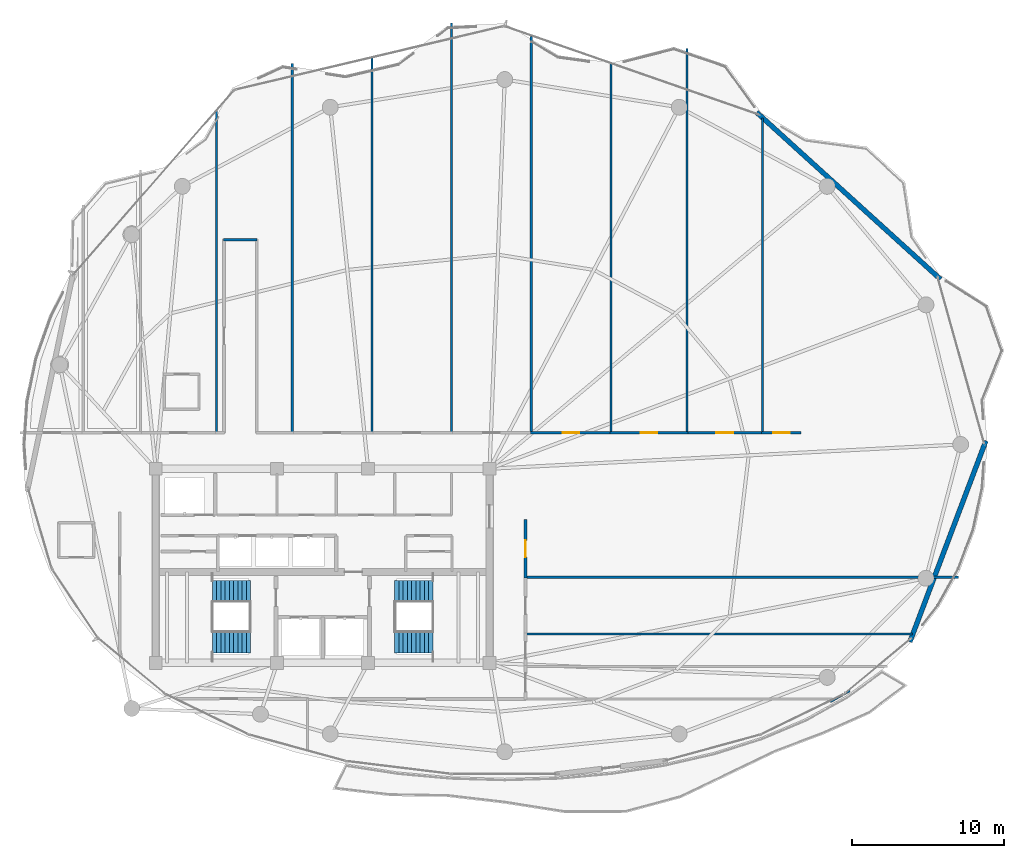
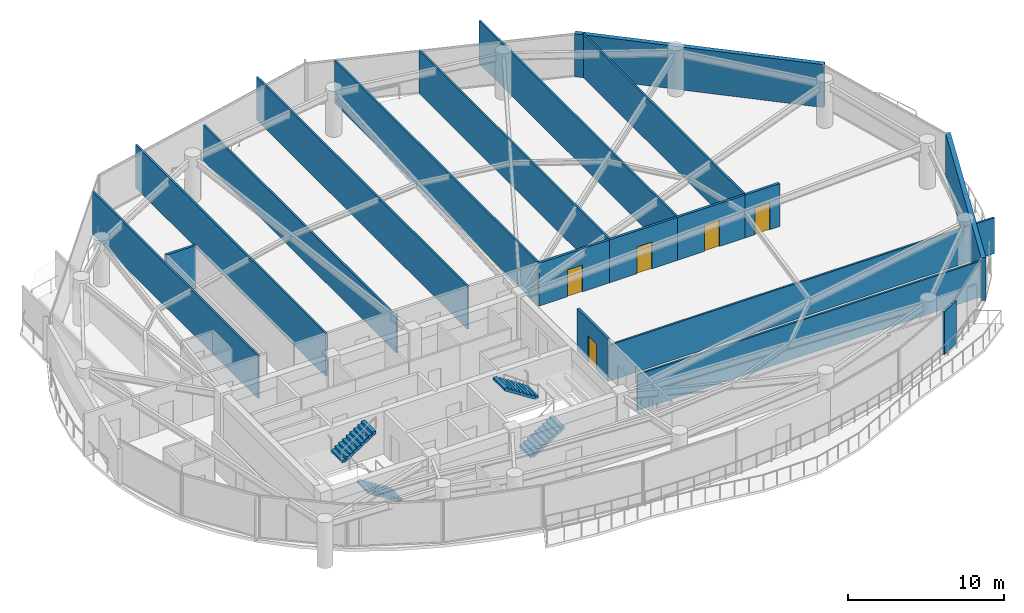
# One storey, part 25 of 29: 19 walls, 5 doors, 4 stair flights, 5 openings, 2 elements without a shape of their own.
"""IFC4 building model written with IfcOpenShell, lengths in metres."""

from ifc_helpers import new_model, si_unit, direction, frame, frame_2d, origin, place, context, subcontext, project, spatial, polyline, rectangle, outline, extrude, material, layer, layer_set, type_object, element, fill, aggregate, save


model = new_model("IFC4")

# Units and contexts
model_context = context("Model", 3, precision=1e-05, world=origin(), true_north=direction((0.0, 1.0)))
body_context = subcontext(model_context, "Body", "Model", "MODEL_VIEW")
ifc_project = project(units=[si_unit("LENGTHUNIT", "METRE"), si_unit("AREAUNIT", "SQUARE_METRE"), si_unit("VOLUMEUNIT", "CUBIC_METRE"), si_unit("PLANEANGLEUNIT", "RADIAN"), si_unit("MASSUNIT", "GRAM", prefix="KILO")], contexts=[model_context])

# Site, building, storey
site_placement = place(None, origin())
site = spatial("IfcSite", under=ifc_project, at=site_placement, CompositionType="ELEMENT")
building_placement = place(site_placement, origin())
building = spatial("IfcBuilding", under=site, at=building_placement, Name="Kazevale Care Tower and Concert Hall", CompositionType="ELEMENT")
storey_placement = place(building_placement, frame((0.0, 0.0, 199.199951171875)))
storey = spatial("IfcBuildingStorey", under=building, at=storey_placement, Name="L52", CompositionType="ELEMENT", Elevation=199.199951171875)

# Walls
ifc_material_1 = material(Name="Acoustic Gypsum on Steel Stud", Category="steel")
ifc_layer_1 = layer(ifc_material_1, 0.139892578125)
ifc_layer_set_1 = layer_set([ifc_layer_1], Name="Acoustic Gypsum on Steel Stud")
wall_type_1 = type_object("IfcWallType", Name="Acoustic Care & Suite Partition 140", PredefinedType="PARTITIONING", material=ifc_layer_set_1)
wall_1_placement = place(storey_placement, frame((26.0, 60.002685546875, 0.0), z_axis=(0.0, 0.0, 1.0), x_axis=(0.0, -1.0, 0.0)))
element("IfcWall", 1, at=wall_1_placement, inside=storey, type_object=wall_type_1, Name="wall:L52:auto_025", PredefinedType="PARTITIONING", context=body_context, shape_type="SweptSolid", body=[
    extrude(rectangle(XDim=21.257568359375, YDim=0.139892578125, at=frame_2d((10.62890625, 0.0))), origin(), (0.0, 0.0, 1.0), 3.360107421875),
])
wall_2_placement = place(storey_placement, frame((31.0, 63.09912109375, 0.0), z_axis=(0.0, 0.0, 1.0), x_axis=(0.0, -1.0, 0.0)))
element("IfcWall", 2, at=wall_2_placement, inside=storey, type_object=wall_type_1, Name="wall:L52:auto_026", PredefinedType="PARTITIONING", context=body_context, shape_type="SweptSolid", body=[
    extrude(rectangle(XDim=24.35400390625, YDim=0.139892578125, at=frame_2d((12.177001953125, 0.0))), origin(), (0.0, 0.0, 1.0), 3.360107421875),
])
wall_3_placement = place(storey_placement, frame((36.25, 63.496826171875, 0.0), z_axis=(0.0, 0.0, 1.0), x_axis=(0.0, -1.0, 0.0)))
element("IfcWall", 3, at=wall_3_placement, inside=storey, type_object=wall_type_1, Name="wall:L52:auto_027", PredefinedType="PARTITIONING", context=body_context, shape_type="SweptSolid", body=[
    extrude(rectangle(XDim=24.751708984375, YDim=0.139892578125, at=frame_2d((12.3759765625, 0.0))), origin(), (0.0, 0.0, 1.0), 2.80615234375),
])
wall_4_placement = place(storey_placement, frame((41.5, 65.7880859375, 0.0), z_axis=(0.0, 0.0, 1.0), x_axis=(0.0, -1.0, 0.0)))
element("IfcWall", 4, at=wall_4_placement, inside=storey, type_object=wall_type_1, Name="wall:L52:auto_028", PredefinedType="PARTITIONING", context=body_context, shape_type="SweptSolid", body=[
    extrude(rectangle(XDim=27.04296875, YDim=0.139892578125, at=frame_2d((13.521484375, 0.0))), origin(), (0.0, 0.0, 1.0), 3.360107421875),
])
wall_5_placement = place(storey_placement, frame((46.75, 64.883056640625, 0.0), z_axis=(0.0, 0.0, 1.0), x_axis=(0.0, -1.0, 0.0)))
element("IfcWall", 5, at=wall_5_placement, inside=storey, type_object=wall_type_1, Name="wall:L52:auto_029", PredefinedType="PARTITIONING", context=body_context, shape_type="SweptSolid", body=[
    extrude(rectangle(XDim=26.137939453125, YDim=0.139892578125, at=frame_2d((13.06884765625, 0.0))), origin(), (0.0, 0.0, 1.0), 3.360107421875),
])
wall_6_placement = place(storey_placement, frame((52.0, 63.106689453125, 0.0), z_axis=(0.0, 0.0, 1.0), x_axis=(0.0, -1.0, 0.0)))
element("IfcWall", 6, at=wall_6_placement, inside=storey, type_object=wall_type_1, Name="wall:L52:auto_030", PredefinedType="PARTITIONING", context=body_context, shape_type="SweptSolid", body=[
    extrude(rectangle(XDim=24.361572265625, YDim=0.139892578125, at=frame_2d((12.1806640625, 0.0))), origin(), (0.0, 0.0, 1.0), 3.360107421875),
])
wall_7_placement = place(storey_placement, frame((57.0, 64.092041015625, 0.0), z_axis=(0.0, 0.0, 1.0), x_axis=(0.0, -1.0, 0.0)))
element("IfcWall", 7, at=wall_7_placement, inside=storey, type_object=wall_type_1, Name="wall:L52:auto_031", PredefinedType="PARTITIONING", context=body_context, shape_type="SweptSolid", body=[
    extrude(rectangle(XDim=25.346923828125, YDim=0.139892578125, at=frame_2d((12.67333984375, 0.0))), origin(), (0.0, 0.0, 1.0), 3.360107421875),
])
wall_8_placement = place(storey_placement, frame((62.0, 59.5126953125, 0.0), z_axis=(0.0, 0.0, 1.0), x_axis=(0.0, -1.0, 0.0)))
element("IfcWall", 8, at=wall_8_placement, inside=storey, type_object=wall_type_1, Name="wall:L52:auto_032", PredefinedType="PARTITIONING", context=body_context, shape_type="SweptSolid", body=[
    extrude(rectangle(XDim=20.767578125, YDim=0.139892578125, at=frame_2d((10.3837890625, 0.0))), origin(), (0.0, 0.0, 1.0), 3.360107421875),
])
wall_9_placement = place(storey_placement, frame((67.748046875, 21.77001953125, 0.0), z_axis=(0.0, 0.0, 1.0), x_axis=(-0.871352238731, -0.490658003153, 0.0)))
element("IfcWall", 9, at=wall_9_placement, inside=storey, type_object=wall_type_1, Name="wall:L52:auto_035", PredefinedType="PARTITIONING", context=body_context, shape_type="SweptSolid", body=[
    extrude(rectangle(XDim=1.48974609375, YDim=0.139892578125, at=frame_2d((0.744873046875, 0.0))), origin(), (0.0, 0.0, 1.0), 3.360107421875),
])
wall_10_placement = place(storey_placement, frame((46.344970703125, 25.5, 0.0), z_axis=(0.0, 0.0, 1.0), x_axis=(1.0, 0.0, 0.0)))
element("IfcWall", 10, at=wall_10_placement, inside=storey, type_object=wall_type_1, Name="wall:L52:auto_036", PredefinedType="PARTITIONING", context=body_context, shape_type="SweptSolid", body=[
    extrude(rectangle(XDim=25.5390625, YDim=0.139892578125, at=frame_2d((12.76953125, 0.0))), origin(), (0.0, 0.0, 1.0), 2.80615234375),
])
wall_11_placement = place(storey_placement, frame((46.344970703125, 29.25, 0.0), z_axis=(0.0, 0.0, 1.0), x_axis=(1.0, 0.0, 0.0)))
element("IfcWall", 11, at=wall_11_placement, inside=storey, type_object=wall_type_1, Name="wall:L52:auto_037", PredefinedType="PARTITIONING", context=body_context, shape_type="SweptSolid", body=[
    extrude(rectangle(XDim=28.56591796875, YDim=0.139892578125, at=frame_2d((14.282958984375, 0.0))), origin(), (0.0, 0.0, 1.0), 2.80615234375),
])
ifc_material_2 = material(Name="Concrete C40 and Acoustic Gypsum", Category="concrete")
ifc_layer_2 = layer(ifc_material_2, 0.179931640625)
ifc_layer_set_2 = layer_set([ifc_layer_2], Name="Concrete C40 and Acoustic Gypsum")
wall_type_2 = type_object("IfcWallType", Name="Fire-Rated Corridor & Party Wall 180", PredefinedType="PARTITIONING", material=ifc_layer_set_2)
wall_12_placement = place(storey_placement, frame((26.469970703125, 51.5, 0.0), z_axis=(0.0, 0.0, 1.0), x_axis=(1.0, 0.0, 0.0)))
element("IfcWall", 12, at=wall_12_placement, inside=storey, type_object=wall_type_2, Name="wall:L52:auto_007", PredefinedType="PARTITIONING", context=body_context, shape_type="SweptSolid", body=[
    extrude(rectangle(XDim=2.2099609375, YDim=0.179931640625, at=frame_2d((1.10498046875, 0.0))), origin(), (0.0, 0.0, 1.0), 3.360107421875),
])

# Wall, opening, door
wall_13_placement = place(storey_placement, frame((46.68505859375, 38.77490234375, 0.0), z_axis=(0.0, 0.0, 1.0), x_axis=(1.0, 0.0, 0.0)))
wall_13 = element("IfcWall", 13, at=wall_13_placement, inside=storey, type_object=wall_type_2, Name="wall:L52:auto_012", PredefinedType="PARTITIONING", context=body_context, shape_type="SweptSolid", body=[
    extrude(rectangle(XDim=5.3798828125, YDim=0.179931640625, at=frame_2d((2.68994140625, 0.0))), origin(), (0.0, 0.0, 1.0), 3.360107421875),
])
opening_1_placement = place(wall_13_placement, frame((2.139892578125, 0.0, 0.0)))
opening_1 = element("IfcOpeningElement", 14, at=opening_1_placement, cuts=wall_13, Name="Opening ID-1100", PredefinedType="OPENING", context=body_context, shape_type="SweptSolid", body=[
    extrude(rectangle(XDim=1.10009765625, YDim=2.10009765625, at=frame_2d((0.550048828125, 1.050048828125))), frame((0.0, 0.099853515625, 0.0), z_axis=(0.0, -1.0, 0.0), x_axis=(1.0, 0.0, 0.0)), (0.0, 0.0, 1.0), 0.199951171875),
])
ifc_material_3 = material(Name="Oak Timber Fire Leaf", Category="wood")
door_type = type_object("IfcDoorType", Name="Care Bedroom Accessible Door 1100x2100", OperationType="NOTDEFINED", PredefinedType="DOOR", material=ifc_material_3)
door_1_placement = place(opening_1_placement, origin())
door_1 = element("IfcDoor", 15, at=door_1_placement, inside=storey, type_object=door_type, Name="door:L52:ad_012", OperationType="SINGLE_SWING_LEFT", OverallHeight=2.10009765625, OverallWidth=1.10009765625, PredefinedType="DOOR", context=body_context, shape_type="SweptSolid", body=[
    extrude(rectangle(XDim=1.10009765625, YDim=2.10009765625, at=frame_2d((0.550048828125, 1.050048828125))), frame((0.0, 0.02490234375, 0.0), z_axis=(0.0, -1.0, 0.0), x_axis=(1.0, 0.0, 0.0)), (0.0, 0.0, 1.0), 0.050048828125),
])
fill(opening_1, door_1)

wall_14_placement = place(storey_placement, frame((51.93505859375, 38.77490234375, 0.0), z_axis=(0.0, 0.0, 1.0), x_axis=(1.0, 0.0, 0.0)))
wall_14 = element("IfcWall", 16, at=wall_14_placement, inside=storey, type_object=wall_type_2, Name="wall:L52:auto_013", PredefinedType="PARTITIONING", context=body_context, shape_type="SweptSolid", body=[
    extrude(rectangle(XDim=5.1298828125, YDim=0.179931640625, at=frame_2d((2.56494140625, 0.0))), origin(), (0.0, 0.0, 1.0), 3.360107421875),
])
opening_2_placement = place(wall_14_placement, frame((2.014892578125, 0.0, 0.0)))
opening_2 = element("IfcOpeningElement", 17, at=opening_2_placement, cuts=wall_14, Name="Opening ID-1100", PredefinedType="OPENING", context=body_context, shape_type="SweptSolid", body=[
    extrude(rectangle(XDim=1.10009765625, YDim=2.10009765625, at=frame_2d((0.550048828125, 1.050048828125))), frame((0.0, 0.099853515625, 0.0), z_axis=(0.0, -1.0, 0.0), x_axis=(1.0, 0.0, 0.0)), (0.0, 0.0, 1.0), 0.199951171875),
])
door_2_placement = place(opening_2_placement, origin())
door_2 = element("IfcDoor", 18, at=door_2_placement, inside=storey, type_object=door_type, Name="door:L52:ad_013", OperationType="SINGLE_SWING_LEFT", OverallHeight=2.10009765625, OverallWidth=1.10009765625, PredefinedType="DOOR", context=body_context, shape_type="SweptSolid", body=[
    extrude(rectangle(XDim=1.10009765625, YDim=2.10009765625, at=frame_2d((0.550048828125, 1.050048828125))), frame((0.0, 0.02490234375, 0.0), z_axis=(0.0, -1.0, 0.0), x_axis=(1.0, 0.0, 0.0)), (0.0, 0.0, 1.0), 0.050048828125),
])
fill(opening_2, door_2)

wall_15_placement = place(storey_placement, frame((56.93505859375, 38.77490234375, 0.0), z_axis=(0.0, 0.0, 1.0), x_axis=(1.0, 0.0, 0.0)))
wall_15 = element("IfcWall", 19, at=wall_15_placement, inside=storey, type_object=wall_type_2, Name="wall:L52:auto_014", PredefinedType="PARTITIONING", context=body_context, shape_type="SweptSolid", body=[
    extrude(rectangle(XDim=5.1298828125, YDim=0.179931640625, at=frame_2d((2.56494140625, 0.0))), origin(), (0.0, 0.0, 1.0), 3.360107421875),
])
opening_3_placement = place(wall_15_placement, frame((2.014892578125, 0.0, 0.0)))
opening_3 = element("IfcOpeningElement", 20, at=opening_3_placement, cuts=wall_15, Name="Opening ID-1100", PredefinedType="OPENING", context=body_context, shape_type="SweptSolid", body=[
    extrude(rectangle(XDim=1.10009765625, YDim=2.10009765625, at=frame_2d((0.550048828125, 1.050048828125))), frame((0.0, 0.099853515625, 0.0), z_axis=(0.0, -1.0, 0.0), x_axis=(1.0, 0.0, 0.0)), (0.0, 0.0, 1.0), 0.199951171875),
])
door_3_placement = place(opening_3_placement, origin())
door_3 = element("IfcDoor", 21, at=door_3_placement, inside=storey, type_object=door_type, Name="door:L52:ad_014", OperationType="SINGLE_SWING_LEFT", OverallHeight=2.10009765625, OverallWidth=1.10009765625, PredefinedType="DOOR", context=body_context, shape_type="SweptSolid", body=[
    extrude(rectangle(XDim=1.10009765625, YDim=2.10009765625, at=frame_2d((0.550048828125, 1.050048828125))), frame((0.0, 0.02490234375, 0.0), z_axis=(0.0, -1.0, 0.0), x_axis=(1.0, 0.0, 0.0)), (0.0, 0.0, 1.0), 0.050048828125),
])
fill(opening_3, door_3)

wall_16_placement = place(storey_placement, frame((61.93505859375, 38.77490234375, 0.0), z_axis=(0.0, 0.0, 1.0), x_axis=(1.0, 0.0, 0.0)))
wall_16 = element("IfcWall", 22, at=wall_16_placement, inside=storey, type_object=wall_type_2, Name="wall:L52:auto_015", PredefinedType="PARTITIONING", context=body_context, shape_type="SweptSolid", body=[
    extrude(rectangle(XDim=2.594970703125, YDim=0.179931640625, at=frame_2d((1.29736328125, 0.0))), origin(), (0.0, 0.0, 1.0), 3.360107421875),
])
opening_4_placement = place(wall_16_placement, frame((0.748046875, 0.0, 0.0)))
opening_4 = element("IfcOpeningElement", 23, at=opening_4_placement, cuts=wall_16, Name="Opening ID-1100", PredefinedType="OPENING", context=body_context, shape_type="SweptSolid", body=[
    extrude(rectangle(XDim=1.10009765625, YDim=2.10009765625, at=frame_2d((0.550048828125, 1.050048828125))), frame((0.0, 0.099853515625, 0.0), z_axis=(0.0, -1.0, 0.0), x_axis=(1.0, 0.0, 0.0)), (0.0, 0.0, 1.0), 0.199951171875),
])
door_4_placement = place(opening_4_placement, origin())
door_4 = element("IfcDoor", 24, at=door_4_placement, inside=storey, type_object=door_type, Name="door:L52:ad_015", OperationType="SINGLE_SWING_LEFT", OverallHeight=2.10009765625, OverallWidth=1.10009765625, PredefinedType="DOOR", context=body_context, shape_type="SweptSolid", body=[
    extrude(rectangle(XDim=1.10009765625, YDim=2.10009765625, at=frame_2d((0.550048828125, 1.050048828125))), frame((0.0, 0.02490234375, 0.0), z_axis=(0.0, -1.0, 0.0), x_axis=(1.0, 0.0, 0.0)), (0.0, 0.0, 1.0), 0.050048828125),
])
fill(opening_4, door_4)

wall_17_placement = place(storey_placement, frame((46.375, 33.06494140625, 0.0), z_axis=(0.0, 0.0, 1.0), x_axis=(0.0, -1.0, 0.0)))
wall_17 = element("IfcWall", 25, at=wall_17_placement, inside=storey, type_object=wall_type_2, Name="wall:L52:auto_019", PredefinedType="PARTITIONING", context=body_context, shape_type="SweptSolid", body=[
    extrude(rectangle(XDim=3.8798828125, YDim=0.179931640625, at=frame_2d((1.93994140625, 0.0))), origin(), (0.0, 0.0, 1.0), 3.360107421875),
])
opening_5_placement = place(wall_17_placement, frame((1.389892578125, 0.0, 0.0)))
opening_5 = element("IfcOpeningElement", 26, at=opening_5_placement, cuts=wall_17, Name="Opening ID-1100", PredefinedType="OPENING", context=body_context, shape_type="SweptSolid", body=[
    extrude(rectangle(XDim=1.10009765625, YDim=2.10009765625, at=frame_2d((0.550048828125, 1.050048828125))), frame((0.0, 0.099853515625, 0.0), z_axis=(0.0, -1.0, 0.0), x_axis=(1.0, 0.0, 0.0)), (0.0, 0.0, 1.0), 0.199951171875),
])
door_5_placement = place(opening_5_placement, origin())
door_5 = element("IfcDoor", 27, at=door_5_placement, inside=storey, type_object=door_type, Name="door:L52:ad_019", OperationType="SINGLE_SWING_LEFT", OverallHeight=2.10009765625, OverallWidth=1.10009765625, PredefinedType="DOOR", context=body_context, shape_type="SweptSolid", body=[
    extrude(rectangle(XDim=1.10009765625, YDim=2.10009765625, at=frame_2d((0.550048828125, 1.050048828125))), frame((0.0, 0.02490234375, 0.0), z_axis=(0.0, -1.0, 0.0), x_axis=(1.0, 0.0, 0.0)), (0.0, 0.0, 1.0), 0.050048828125),
])
fill(opening_5, door_5)

# Walls
ifc_material_4 = material(Name="Concrete C40 with Honed Limestone Cladding", Category="masonry")
ifc_layer_3 = layer(ifc_material_4, 0.320068359375)
ifc_layer_set_3 = layer_set([ifc_layer_3], Name="Concrete C40 with Honed Limestone Cladding")
wall_type_3 = type_object("IfcWallType", Name="Tower Honed Limestone Spandrel Wall 320", PredefinedType="STANDARD", material=ifc_layer_set_3)
wall_18_placement = place(storey_placement, frame((76.7119140625, 38.242919921875, 0.0), z_axis=(0.0, 0.0, 1.0), x_axis=(-0.353659523244, -0.935374225441, 0.0)))
element("IfcWall", 28, at=wall_18_placement, inside=storey, type_object=wall_type_3, Name="wall:cw:L52:f01", PredefinedType="STANDARD", context=body_context, shape_type="SweptSolid", body=[
    extrude(rectangle(XDim=14.171630859375, YDim=0.320068359375, at=frame_2d((7.0859375, 0.0))), origin(), (0.0, 0.0, 1.0), 3.360107421875),
])
wall_19_placement = place(storey_placement, frame((61.60205078125, 59.884033203125, 0.0), z_axis=(0.0, 0.0, 1.0), x_axis=(0.740416582554, -0.672148260638, 0.0)))
element("IfcWall", 29, at=wall_19_placement, inside=storey, type_object=wall_type_3, Name="wall:cw:L52:f17", PredefinedType="STANDARD", context=body_context, shape_type="SweptSolid", body=[
    extrude(rectangle(XDim=16.361083984375, YDim=0.320068359375, at=frame_2d((8.1806640625, 0.0))), origin(), (0.0, 0.0, 1.0), 3.360107421875),
])

# Stair, stair flights
ifc_material_5 = material(Name="Concrete C40", Category="concrete")
stair_type = type_object("IfcStairType", Name="Exit Stair Assembly ST1-Z3", PredefinedType="HALF_TURN_STAIR", material=ifc_material_5)
stair_1_placement = place(storey_placement, origin())
stair_1 = element("IfcStair", 30, at=stair_1_placement, inside=storey, type_object=stair_type, Name="stair:L52:ST1", PredefinedType="HALF_TURN_STAIR")
ifc_layer_4 = layer(ifc_material_5, 0.159912109375)
ifc_layer_set_4 = layer_set([ifc_layer_4], Name="Concrete C40")
stair_flight_type = type_object("IfcStairFlightType", Name="Exit Stair Flight ST1-Z3", PredefinedType="STRAIGHT", material=ifc_layer_set_4)
stair_flight_1_placement = place(storey_placement, frame((28.25, 24.97509765625, 0.0), z_axis=(0.0, 0.0, 1.0), x_axis=(-1.0, 0.0, 0.0)))
stair_flight_1 = element("IfcStairFlight", 31, at=stair_flight_1_placement, type_object=stair_flight_type, Name="ST1-Z3 flight 1", NumberOfRisers=10, NumberOfTreads=9, PredefinedType="STRAIGHT", RiserHeight=0.18, TreadLength=0.28, context=body_context, shape_type="SweptSolid", body=[
    extrude(outline(polyline([(0.0, 0.0), (0.0, 0.179931640625), (0.280029296875, 0.179931640625), (0.280029296875, 0.360107421875), (0.56005859375, 0.360107421875), (0.56005859375, 0.5400390625), (0.840087890625, 0.5400390625), (0.840087890625, 0.719970703125), (1.1201171875, 0.719970703125), (1.1201171875, 0.89990234375), (1.39990234375, 0.89990234375), (1.39990234375, 1.080078125), (1.679931640625, 1.080078125), (1.679931640625, 1.260009765625), (1.9599609375, 1.260009765625), (1.9599609375, 1.43994140625), (2.239990234375, 1.43994140625), (2.239990234375, 1.6201171875), (2.52001953125, 1.6201171875), (2.52001953125, 1.800048828125), (2.52001953125, 1.429931640625), (0.295654296875, 0.0), (0.0, 0.0)])), frame((0.0, 0.72509765625, 0.0), z_axis=(0.0, -1.0, 0.0), x_axis=(1.0, 0.0, 0.0)), (0.0, 0.0, 1.0), 1.449951171875),
])
stair_flight_2_placement = place(storey_placement, frame((25.72998046875, 28.324951171875, 1.800048828125), z_axis=(0.0, 0.0, 1.0), x_axis=(1.0, 0.0, 0.0)))
stair_flight_2 = element("IfcStairFlight", 32, at=stair_flight_2_placement, type_object=stair_flight_type, Name="ST1-Z3 flight 2", NumberOfRisers=10, NumberOfTreads=9, PredefinedType="STRAIGHT", RiserHeight=0.18, TreadLength=0.28, context=body_context, shape_type="SweptSolid", body=[
    extrude(outline(polyline([(0.0, 0.0), (0.0, 0.179931640625), (0.280029296875, 0.179931640625), (0.280029296875, 0.360107421875), (0.56005859375, 0.360107421875), (0.56005859375, 0.5400390625), (0.840087890625, 0.5400390625), (0.840087890625, 0.719970703125), (1.1201171875, 0.719970703125), (1.1201171875, 0.89990234375), (1.39990234375, 0.89990234375), (1.39990234375, 1.080078125), (1.679931640625, 1.080078125), (1.679931640625, 1.260009765625), (1.9599609375, 1.260009765625), (1.9599609375, 1.43994140625), (2.239990234375, 1.43994140625), (2.239990234375, 1.6201171875), (2.52001953125, 1.6201171875), (2.52001953125, 1.800048828125), (2.52001953125, 1.429931640625), (0.295654296875, 0.0), (0.0, 0.0)])), frame((0.0, 0.72509765625, 0.0), z_axis=(0.0, -1.0, 0.0), x_axis=(1.0, 0.0, 0.0)), (0.0, 0.0, 1.0), 1.449951171875),
])
aggregate(stair_1, [stair_flight_1, stair_flight_2])

stair_2_placement = place(storey_placement, origin())
stair_2 = element("IfcStair", 33, at=stair_2_placement, inside=storey, type_object=stair_type, Name="stair:L52:ST2", PredefinedType="HALF_TURN_STAIR")
stair_flight_3_placement = place(storey_placement, frame((37.75, 24.97509765625, 0.0), z_axis=(0.0, 0.0, 1.0), x_axis=(1.0, 0.0, 0.0)))
stair_flight_3 = element("IfcStairFlight", 34, at=stair_flight_3_placement, type_object=stair_flight_type, Name="ST1-Z3 flight 1", NumberOfRisers=10, NumberOfTreads=9, PredefinedType="STRAIGHT", RiserHeight=0.18, TreadLength=0.28, context=body_context, shape_type="SweptSolid", body=[
    extrude(outline(polyline([(0.0, 0.0), (0.0, 0.179931640625), (0.280029296875, 0.179931640625), (0.280029296875, 0.360107421875), (0.56005859375, 0.360107421875), (0.56005859375, 0.5400390625), (0.840087890625, 0.5400390625), (0.840087890625, 0.719970703125), (1.1201171875, 0.719970703125), (1.1201171875, 0.89990234375), (1.39990234375, 0.89990234375), (1.39990234375, 1.080078125), (1.679931640625, 1.080078125), (1.679931640625, 1.260009765625), (1.9599609375, 1.260009765625), (1.9599609375, 1.43994140625), (2.239990234375, 1.43994140625), (2.239990234375, 1.6201171875), (2.52001953125, 1.6201171875), (2.52001953125, 1.800048828125), (2.52001953125, 1.429931640625), (0.295654296875, 0.0), (0.0, 0.0)])), frame((0.0, 0.72509765625, 0.0), z_axis=(0.0, -1.0, 0.0), x_axis=(1.0, 0.0, 0.0)), (0.0, 0.0, 1.0), 1.449951171875),
])
stair_flight_4_placement = place(storey_placement, frame((40.27001953125, 28.324951171875, 1.800048828125), z_axis=(0.0, 0.0, 1.0), x_axis=(-1.0, 0.0, 0.0)))
stair_flight_4 = element("IfcStairFlight", 35, at=stair_flight_4_placement, type_object=stair_flight_type, Name="ST1-Z3 flight 2", NumberOfRisers=10, NumberOfTreads=9, PredefinedType="STRAIGHT", RiserHeight=0.18, TreadLength=0.28, context=body_context, shape_type="SweptSolid", body=[
    extrude(outline(polyline([(0.0, 0.0), (0.0, 0.179931640625), (0.280029296875, 0.179931640625), (0.280029296875, 0.360107421875), (0.56005859375, 0.360107421875), (0.56005859375, 0.5400390625), (0.840087890625, 0.5400390625), (0.840087890625, 0.719970703125), (1.1201171875, 0.719970703125), (1.1201171875, 0.89990234375), (1.39990234375, 0.89990234375), (1.39990234375, 1.080078125), (1.679931640625, 1.080078125), (1.679931640625, 1.260009765625), (1.9599609375, 1.260009765625), (1.9599609375, 1.43994140625), (2.239990234375, 1.43994140625), (2.239990234375, 1.6201171875), (2.52001953125, 1.6201171875), (2.52001953125, 1.800048828125), (2.52001953125, 1.429931640625), (0.295654296875, 0.0), (0.0, 0.0)])), frame((0.0, 0.72509765625, 0.0), z_axis=(0.0, -1.0, 0.0), x_axis=(1.0, 0.0, 0.0)), (0.0, 0.0, 1.0), 1.449951171875),
])
aggregate(stair_2, [stair_flight_3, stair_flight_4])

save(model, "model.ifc")
